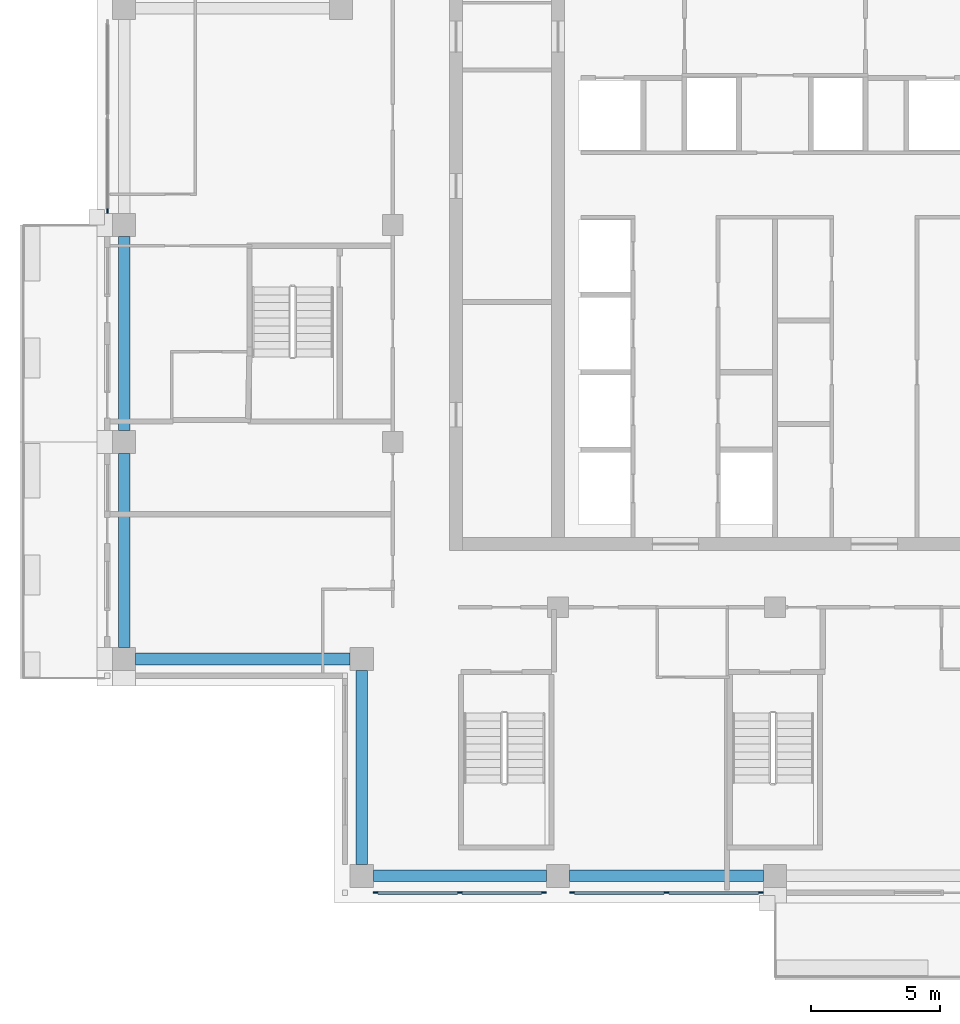
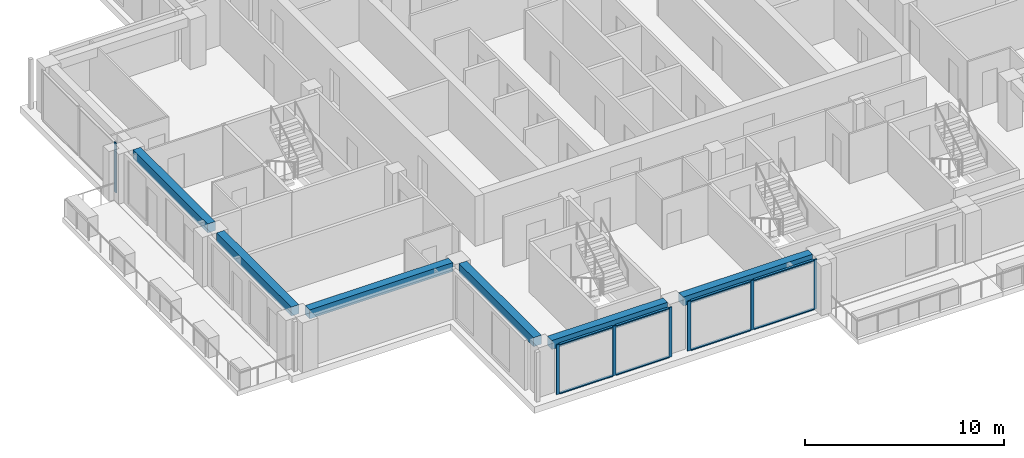
# One storey, part 2 of 17: 15 members, 6 beams, 3 elements without a shape of their own.
"""IFC4 building model written with IfcOpenShell, lengths in metres."""

from ifc_helpers import new_model, si_unit, direction, frame, origin, origin_2d, place, context, subcontext, project, spatial, rectangle, extrude, material, material_profile, profile_set, type_object, element, aggregate, save


model = new_model("IFC4")

# Units and contexts
model_context = context("Model", 3, precision=1e-05, world=origin(), true_north=direction((0.0, 1.0)))
body_context = subcontext(model_context, "Body", "Model", "MODEL_VIEW")
ifc_project = project(units=[si_unit("LENGTHUNIT", "METRE"), si_unit("AREAUNIT", "SQUARE_METRE"), si_unit("VOLUMEUNIT", "CUBIC_METRE"), si_unit("PLANEANGLEUNIT", "RADIAN"), si_unit("MASSUNIT", "GRAM", prefix="KILO")], contexts=[model_context])

# Site, building, storey
site_placement = place(None, origin())
site = spatial("IfcSite", under=ifc_project, at=site_placement, CompositionType="ELEMENT")
building_placement = place(site_placement, origin())
building = spatial("IfcBuilding", under=site, at=building_placement, Name="Vermilion Ogive Tower", CompositionType="ELEMENT")
storey_placement = place(building_placement, frame((0.0, 0.0, 244.14990234375)))
storey = spatial("IfcBuildingStorey", under=building, at=storey_placement, Name="L64", CompositionType="ELEMENT", Elevation=244.14990234375)

# Curtain wall, members
ifc_material_1 = material(Name="Low-iron laminated glazing in aluminium frame", Category="aluminium")
curtain_wall_type = type_object("IfcCurtainWallType", Name="Curtain wall CW7", PredefinedType="NOTDEFINED", material=ifc_material_1)
curtain_wall_1_placement = place(storey_placement, origin())
curtain_wall_1 = element("IfcCurtainWall", 1, at=curtain_wall_1_placement, inside=storey, type_object=curtain_wall_type, Name="Glazed skin S1", PredefinedType="NOTDEFINED")
ifc_material_2 = material(Name="Aluminium mullion", Category="aluminium")
ifc_material_profile_1 = material_profile(ifc_material_2, rectangle(XDim=0.06005859375, YDim=0.179931640625, at=origin_2d()), Name="AL 60x180")
ifc_profile_set_1 = profile_set([ifc_material_profile_1], Name="Aluminium mullion")
member_type_1 = type_object("IfcMemberType", Name="CW7 mullion 60x180", PredefinedType="MULLION", material=ifc_profile_set_1)
member_1_placement = place(storey_placement, frame((-15.4599609375, -21.64990234375, 0.0), z_axis=(0.0, 0.0, 1.0), x_axis=(0.0, 1.0, 0.0)))
member_1 = element("IfcMember", 2, at=member_1_placement, type_object=member_type_1, Name="CW7-S1 mullion 1", PredefinedType="MULLION", context=body_context, shape_type="SweptSolid", body=[
    extrude(rectangle(XDim=0.06005859375, YDim=0.179931640625, at=origin_2d()), origin(), (0.0, 0.0, 1.0), 3.050048828125),
])
member_2_placement = place(storey_placement, frame((-12.199951171875, -21.64990234375, 0.0), z_axis=(0.0, 0.0, 1.0), x_axis=(0.0, 1.0, 0.0)))
member_2 = element("IfcMember", 3, at=member_2_placement, type_object=member_type_1, Name="CW7-S1 mullion 2", PredefinedType="MULLION", context=body_context, shape_type="SweptSolid", body=[
    extrude(rectangle(XDim=0.06005859375, YDim=0.179931640625, at=origin_2d()), origin(), (0.0, 0.0, 1.0), 3.050048828125),
])
member_3_placement = place(storey_placement, frame((-8.93994140625, -21.64990234375, 0.0), z_axis=(0.0, 0.0, 1.0), x_axis=(0.0, 1.0, 0.0)))
member_3 = element("IfcMember", 4, at=member_3_placement, type_object=member_type_1, Name="CW7-S1 mullion 3", PredefinedType="MULLION", context=body_context, shape_type="SweptSolid", body=[
    extrude(rectangle(XDim=0.06005859375, YDim=0.179931640625, at=origin_2d()), origin(), (0.0, 0.0, 1.0), 3.050048828125),
])

curtain_wall_2_placement = place(storey_placement, origin())
curtain_wall_2 = element("IfcCurtainWall", 5, at=curtain_wall_2_placement, inside=storey, type_object=curtain_wall_type, Name="Glazed skin S2", PredefinedType="NOTDEFINED")
member_4_placement = place(storey_placement, frame((-7.860107421875, -21.64990234375, 0.0), z_axis=(0.0, 0.0, 1.0), x_axis=(0.0, 1.0, 0.0)))
member_4 = element("IfcMember", 6, at=member_4_placement, type_object=member_type_1, Name="CW7-S2 mullion 1", PredefinedType="MULLION", context=body_context, shape_type="SweptSolid", body=[
    extrude(rectangle(XDim=0.06005859375, YDim=0.179931640625, at=origin_2d()), origin(), (0.0, 0.0, 1.0), 3.050048828125),
])
member_5_placement = place(storey_placement, frame((-4.199951171875, -21.64990234375, 0.0), z_axis=(0.0, 0.0, 1.0), x_axis=(0.0, 1.0, 0.0)))
member_5 = element("IfcMember", 7, at=member_5_placement, type_object=member_type_1, Name="CW7-S2 mullion 2", PredefinedType="MULLION", context=body_context, shape_type="SweptSolid", body=[
    extrude(rectangle(XDim=0.06005859375, YDim=0.179931640625, at=origin_2d()), origin(), (0.0, 0.0, 1.0), 3.050048828125),
])
member_6_placement = place(storey_placement, frame((-0.5400390625, -21.64990234375, 0.0), z_axis=(0.0, 0.0, 1.0), x_axis=(0.0, 1.0, 0.0)))
member_6 = element("IfcMember", 8, at=member_6_placement, type_object=member_type_1, Name="CW7-S2 mullion 3", PredefinedType="MULLION", context=body_context, shape_type="SweptSolid", body=[
    extrude(rectangle(XDim=0.06005859375, YDim=0.179931640625, at=origin_2d()), origin(), (0.0, 0.0, 1.0), 3.050048828125),
])

# Curtain wall, member
curtain_wall_3_placement = place(storey_placement, origin())
curtain_wall_3 = element("IfcCurtainWall", 9, at=curtain_wall_3_placement, inside=storey, type_object=curtain_wall_type, Name="Glazed skin W1", PredefinedType="NOTDEFINED")
member_7_placement = place(storey_placement, frame((-25.85009765625, 4.739990234375, 0.0), z_axis=(0.0, 0.0, 1.0), x_axis=(1.0, 0.0, 0.0)))
member_7 = element("IfcMember", 10, at=member_7_placement, type_object=member_type_1, Name="CW7-W1 mullion 3", PredefinedType="MULLION", context=body_context, shape_type="SweptSolid", body=[
    extrude(rectangle(XDim=0.06005859375, YDim=0.179931640625, at=origin_2d()), origin(), (0.0, 0.0, 1.0), 3.050048828125),
])
aggregate(curtain_wall_3, [member_7])

# Member
ifc_material_3 = material(Name="Aluminium transom", Category="aluminium")
ifc_material_profile_2 = material_profile(ifc_material_3, rectangle(XDim=0.139892578125, YDim=0.06005859375, at=origin_2d()), Name="AL 60x140")
ifc_profile_set_2 = profile_set([ifc_material_profile_2], Name="Aluminium transom")
member_type_2 = type_object("IfcMemberType", Name="CW7 transom 60x140", PredefinedType="USERDEFINED", material=ifc_profile_set_2)
member_8_placement = place(storey_placement, frame((-15.3701171875, -21.64990234375, 0.030029296875), z_axis=(1.0, 0.0, 0.0), x_axis=(0.0, 1.0, 0.0)))
member_8 = element("IfcMember", 11, at=member_8_placement, type_object=member_type_2, Name="CW7-S1 transom 1.1", ObjectType="TRANSOM", PredefinedType="USERDEFINED", context=body_context, shape_type="SweptSolid", body=[
    extrude(rectangle(XDim=0.139892578125, YDim=0.06005859375, at=origin_2d()), origin(), (0.0, 0.0, 1.0), 3.080078125),
])

member_9_placement = place(storey_placement, frame((-15.3701171875, -21.64990234375, 3.02001953125), z_axis=(1.0, 0.0, 0.0), x_axis=(0.0, 1.0, 0.0)))
member_9 = element("IfcMember", 12, at=member_9_placement, type_object=member_type_2, Name="CW7-S1 transom 1.2", ObjectType="TRANSOM", PredefinedType="USERDEFINED", context=body_context, shape_type="SweptSolid", body=[
    extrude(rectangle(XDim=0.139892578125, YDim=0.06005859375, at=origin_2d()), origin(), (0.0, 0.0, 1.0), 3.080078125),
])

member_10_placement = place(storey_placement, frame((-12.110107421875, -21.64990234375, 0.030029296875), z_axis=(1.0, 0.0, 0.0), x_axis=(0.0, 1.0, 0.0)))
member_10 = element("IfcMember", 13, at=member_10_placement, type_object=member_type_2, Name="CW7-S1 transom 2.1", ObjectType="TRANSOM", PredefinedType="USERDEFINED", context=body_context, shape_type="SweptSolid", body=[
    extrude(rectangle(XDim=0.139892578125, YDim=0.06005859375, at=origin_2d()), origin(), (0.0, 0.0, 1.0), 3.080078125),
])

member_11_placement = place(storey_placement, frame((-12.110107421875, -21.64990234375, 3.02001953125), z_axis=(1.0, 0.0, 0.0), x_axis=(0.0, 1.0, 0.0)))
member_11 = element("IfcMember", 14, at=member_11_placement, type_object=member_type_2, Name="CW7-S1 transom 2.2", ObjectType="TRANSOM", PredefinedType="USERDEFINED", context=body_context, shape_type="SweptSolid", body=[
    extrude(rectangle(XDim=0.139892578125, YDim=0.06005859375, at=origin_2d()), origin(), (0.0, 0.0, 1.0), 3.080078125),
])

aggregate(curtain_wall_1, [member_1, member_2, member_3, member_8, member_9, member_10, member_11])

member_12_placement = place(storey_placement, frame((-7.77001953125, -21.64990234375, 0.030029296875), z_axis=(1.0, 0.0, 0.0), x_axis=(0.0, 1.0, 0.0)))
member_12 = element("IfcMember", 15, at=member_12_placement, type_object=member_type_2, Name="CW7-S2 transom 1.1", ObjectType="TRANSOM", PredefinedType="USERDEFINED", context=body_context, shape_type="SweptSolid", body=[
    extrude(rectangle(XDim=0.139892578125, YDim=0.06005859375, at=origin_2d()), origin(), (0.0, 0.0, 1.0), 3.47998046875),
])

member_13_placement = place(storey_placement, frame((-7.77001953125, -21.64990234375, 3.02001953125), z_axis=(1.0, 0.0, 0.0), x_axis=(0.0, 1.0, 0.0)))
member_13 = element("IfcMember", 16, at=member_13_placement, type_object=member_type_2, Name="CW7-S2 transom 1.2", ObjectType="TRANSOM", PredefinedType="USERDEFINED", context=body_context, shape_type="SweptSolid", body=[
    extrude(rectangle(XDim=0.139892578125, YDim=0.06005859375, at=origin_2d()), origin(), (0.0, 0.0, 1.0), 3.47998046875),
])

member_14_placement = place(storey_placement, frame((-4.110107421875, -21.64990234375, 0.030029296875), z_axis=(1.0, 0.0, 0.0), x_axis=(0.0, 1.0, 0.0)))
member_14 = element("IfcMember", 17, at=member_14_placement, type_object=member_type_2, Name="CW7-S2 transom 2.1", ObjectType="TRANSOM", PredefinedType="USERDEFINED", context=body_context, shape_type="SweptSolid", body=[
    extrude(rectangle(XDim=0.139892578125, YDim=0.06005859375, at=origin_2d()), origin(), (0.0, 0.0, 1.0), 3.480224609375),
])

member_15_placement = place(storey_placement, frame((-4.110107421875, -21.64990234375, 3.02001953125), z_axis=(1.0, 0.0, 0.0), x_axis=(0.0, 1.0, 0.0)))
member_15 = element("IfcMember", 18, at=member_15_placement, type_object=member_type_2, Name="CW7-S2 transom 2.2", ObjectType="TRANSOM", PredefinedType="USERDEFINED", context=body_context, shape_type="SweptSolid", body=[
    extrude(rectangle(XDim=0.139892578125, YDim=0.06005859375, at=origin_2d()), origin(), (0.0, 0.0, 1.0), 3.480224609375),
])

aggregate(curtain_wall_2, [member_4, member_5, member_6, member_12, member_13, member_14, member_15])

# Beams
ifc_material_4 = material(Name="Concrete B45", Category="concrete")
ifc_material_profile_3 = material_profile(ifc_material_4, rectangle(XDim=0.449951171875, YDim=0.550048828125, at=origin_2d()), Name="450 x 550")
ifc_profile_set_3 = profile_set([ifc_material_profile_3], Name="Concrete B45")
beam_type = type_object("IfcBeamType", Name="Edge beam 450 x 550 B45", PredefinedType="BEAM", material=ifc_profile_set_3)
beam_1_placement = place(storey_placement, frame((-15.550048828125, -21.0, 2.775146484375), z_axis=(1.0, 0.0, 0.0), x_axis=(0.0, 1.0, 0.0)))
element("IfcBeam", 19, at=beam_1_placement, inside=storey, type_object=beam_type, Name="L64-EB-1", PredefinedType="BEAM", context=body_context, shape_type="SweptSolid", body=[
    extrude(rectangle(XDim=0.449951171875, YDim=0.550048828125, at=origin_2d()), origin(), (0.0, 0.0, 1.0), 6.699951171875),
])
for number, where, z_axis, x_axis, name in (
    (20, (-7.949951171875, -21.0, 2.775146484375), (1.0, 0.0, 0.0), (0.0, 1.0, 0.0), "L64-EB-2"),
    (21, (-25.199951171875, 3.75, 2.775146484375), (0.0, -1.0, 0.0), (1.0, 0.0, 0.0), "L64-EB-15"),
    (22, (-25.199951171875, -4.64990234375, 2.775146484375), (0.0, -1.0, 0.0), (1.0, 0.0, 0.0), "L64-EB-16"),
):
    element("IfcBeam", number, at=place(storey_placement, frame(where, z_axis=z_axis, x_axis=x_axis)), inside=storey, type_object=beam_type, Name=name, PredefinedType="BEAM", context=body_context, shape_type="SweptSolid", body=[
        extrude(rectangle(XDim=0.449951171875, YDim=0.550048828125, at=origin_2d()), origin(), (0.0, 0.0, 1.0), 7.5),
    ])
beam_2_placement = place(storey_placement, frame((-24.75, -12.60009765625, 2.775146484375), z_axis=(1.0, 0.0, 0.0), x_axis=(0.0, 1.0, 0.0)))
element("IfcBeam", 23, at=beam_2_placement, inside=storey, type_object=beam_type, Name="L64-EB-17", PredefinedType="BEAM", context=body_context, shape_type="SweptSolid", body=[
    extrude(rectangle(XDim=0.449951171875, YDim=0.550048828125, at=origin_2d()), origin(), (0.0, 0.0, 1.0), 8.300048828125),
])
beam_3_placement = place(storey_placement, frame((-16.0, -13.050048828125, 2.775146484375), z_axis=(0.0, -1.0, 0.0), x_axis=(1.0, 0.0, 0.0)))
element("IfcBeam", 24, at=beam_3_placement, inside=storey, type_object=beam_type, Name="L64-EB-18", PredefinedType="BEAM", context=body_context, shape_type="SweptSolid", body=[
    extrude(rectangle(XDim=0.449951171875, YDim=0.550048828125, at=origin_2d()), origin(), (0.0, 0.0, 1.0), 7.5),
])

save(model, "model.ifc")
